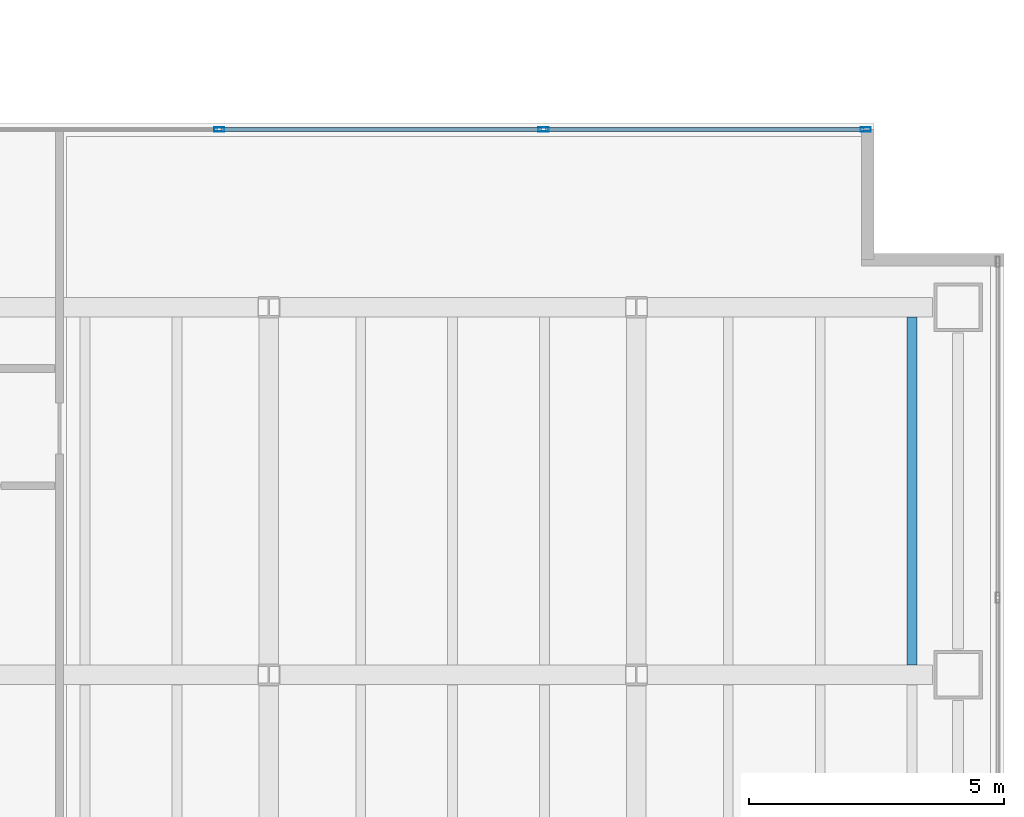
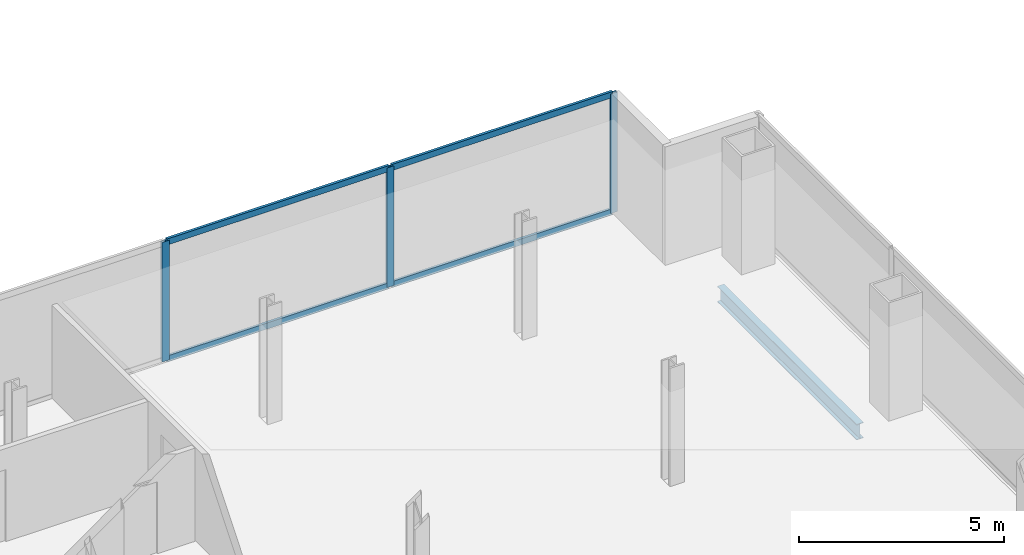
# One storey, part 12 of 24: 7 members, 1 beam, 1 element without a shape of its own.
"""IFC4 building model written with IfcOpenShell, lengths in metres."""

from ifc_helpers import new_model, si_unit, direction, frame, origin, origin_2d, place, context, subcontext, project, spatial, hollow_rectangle, i_section, extrude, material, material_profile, profile_set, type_object, element, aggregate, save


model = new_model("IFC4")

# Units and contexts
model_context = context("Model", 3, precision=1e-05, world=origin(), true_north=direction((0.0, 1.0)))
body_context = subcontext(model_context, "Body", "Model", "MODEL_VIEW")
ifc_project = project(units=[si_unit("LENGTHUNIT", "METRE"), si_unit("AREAUNIT", "SQUARE_METRE"), si_unit("VOLUMEUNIT", "CUBIC_METRE"), si_unit("PLANEANGLEUNIT", "RADIAN"), si_unit("MASSUNIT", "GRAM", prefix="KILO")], contexts=[model_context])

# Site, building, storey
site_placement = place(None, origin())
site = spatial("IfcSite", under=ifc_project, at=site_placement, CompositionType="ELEMENT")
building_placement = place(site_placement, origin())
building = spatial("IfcBuilding", under=site, at=building_placement, Name="Cobrela Telecom Tower", CompositionType="ELEMENT")
storey_placement = place(building_placement, frame((0.0, 0.0, 77.35009765625)))
storey = spatial("IfcBuildingStorey", under=building, at=storey_placement, Name="L19", CompositionType="ELEMENT", Elevation=77.35009765625)

# Beam
ifc_material_1 = material(Name="Steel ASTM A992 Grade 50", Category="steel")
ifc_material_profile_1 = material_profile(ifc_material_1, i_section(OverallWidth=0.193115234375, OverallDepth=0.467041015625, WebThickness=0.011474609375, FlangeThickness=0.01904296875, FilletRadius=0.012939453125, at=origin_2d()), Name="W18X65")
ifc_profile_set_1 = profile_set([ifc_material_profile_1], Name="Steel ASTM A992 Grade 50")
beam_type = type_object("IfcBeamType", Name="BM-JOIST-03", PredefinedType="JOIST", material=ifc_profile_set_1)
beam_placement = place(storey_placement, frame((48.60009765625, 14.595458984375, -0.513671875), z_axis=(0.0, 1.0, 0.0), x_axis=(-1.0, 0.0, 0.0)))
element("IfcBeam", 1, at=beam_placement, inside=storey, type_object=beam_type, Name="L19 Secondary Composite Floor Beam J64", PredefinedType="JOIST", context=body_context, shape_type="SweptSolid", body=[
    extrude(i_section(OverallWidth=0.193115234375, OverallDepth=0.467041015625, WebThickness=0.011474609375, FlangeThickness=0.01904296875, FilletRadius=0.012939453125, at=origin_2d()), origin(), (0.0, 0.0, 1.0), 6.80908203125),
])

# Curtain wall, members
ifc_material_2 = material(Name="Anodized Bronze Aluminium 6063-T6", Category="aluminium")
curtain_wall_type = type_object("IfcCurtainWallType", Name="CW-SYS-DATA", PredefinedType="USERDEFINED", material=ifc_material_2)
curtain_wall_placement = place(storey_placement, origin())
curtain_wall = element("IfcCurtainWall", 2, at=curtain_wall_placement, inside=storey, type_object=curtain_wall_type, Name="L19 Unitised Bronze Curtain Wall 11", ObjectType="UNITISED CURTAIN WALL", PredefinedType="USERDEFINED")
ifc_material_profile_2 = material_profile(ifc_material_2, hollow_rectangle(XDim=0.080078125, YDim=0.199951171875, WallThickness=0.00390625, at=origin_2d()), Name="ALU 80x200x4")
ifc_profile_set_2 = profile_set([ifc_material_profile_2], Name="Anodized Bronze Aluminium 6063-T6")
member_type_1 = type_object("IfcMemberType", Name="CW-SYS-DATA-MUL", PredefinedType="MULLION", material=ifc_profile_set_2)
member_1_placement = place(storey_placement, frame((35.030029296875, 25.080078125, 0.0), z_axis=(0.0, 0.0, 1.0), x_axis=(0.0, 1.0, 0.0)))
member_1 = element("IfcMember", 3, at=member_1_placement, type_object=member_type_1, Name="CW-DATA mullion 2", PredefinedType="MULLION", context=body_context, shape_type="SweptSolid", body=[
    extrude(hollow_rectangle(XDim=0.080078125, YDim=0.199951171875, WallThickness=0.00390625, at=origin_2d()), origin(), (0.0, 0.0, 1.0), 3.56982421875),
])
member_2_placement = place(storey_placement, frame((41.3798828125, 25.080078125, 0.0), z_axis=(0.0, 0.0, 1.0), x_axis=(0.0, 1.0, 0.0)))
member_2 = element("IfcMember", 4, at=member_2_placement, type_object=member_type_1, Name="CW-DATA mullion 3", PredefinedType="MULLION", context=body_context, shape_type="SweptSolid", body=[
    extrude(hollow_rectangle(XDim=0.080078125, YDim=0.199951171875, WallThickness=0.00390625, at=origin_2d()), origin(), (0.0, 0.0, 1.0), 3.56982421875),
])
member_3_placement = place(storey_placement, frame((47.68994140625, 25.080078125, 0.0), z_axis=(0.0, 0.0, 1.0), x_axis=(0.0, 1.0, 0.0)))
member_3 = element("IfcMember", 5, at=member_3_placement, type_object=member_type_1, Name="CW-DATA mullion 4", PredefinedType="MULLION", context=body_context, shape_type="SweptSolid", body=[
    extrude(hollow_rectangle(XDim=0.080078125, YDim=0.199951171875, WallThickness=0.00390625, at=origin_2d()), origin(), (0.0, 0.0, 1.0), 3.56982421875),
])
ifc_material_profile_3 = material_profile(ifc_material_2, hollow_rectangle(XDim=0.074951171875, YDim=0.179931640625, WallThickness=0.00390625, at=origin_2d()), Name="ALU 75x180x4")
ifc_profile_set_3 = profile_set([ifc_material_profile_3], Name="Anodized Bronze Aluminium 6063-T6")
member_type_2 = type_object("IfcMemberType", Name="CW-SYS-DATA-TRN", PredefinedType="USERDEFINED", material=ifc_profile_set_3)
member_4_placement = place(storey_placement, frame((35.070068359375, 25.080078125, 0.037353515625), z_axis=(1.0, 0.0, 0.0), x_axis=(0.0, 1.0, 0.0)))
member_4 = element("IfcMember", 6, at=member_4_placement, type_object=member_type_2, Name="CW-DATA transom 2.1", ObjectType="TRANSOM", PredefinedType="USERDEFINED", context=body_context, shape_type="SweptSolid", body=[
    extrude(hollow_rectangle(XDim=0.074951171875, YDim=0.179931640625, WallThickness=0.00390625, at=origin_2d()), origin(), (0.0, 0.0, 1.0), 6.27001953125),
])
member_5_placement = place(storey_placement, frame((35.070068359375, 25.080078125, 3.532470703125), z_axis=(1.0, 0.0, 0.0), x_axis=(0.0, 1.0, 0.0)))
member_5 = element("IfcMember", 7, at=member_5_placement, type_object=member_type_2, Name="CW-DATA transom 2.2", ObjectType="TRANSOM", PredefinedType="USERDEFINED", context=body_context, shape_type="SweptSolid", body=[
    extrude(hollow_rectangle(XDim=0.074951171875, YDim=0.179931640625, WallThickness=0.00390625, at=origin_2d()), origin(), (0.0, 0.0, 1.0), 6.27001953125),
])
member_6_placement = place(storey_placement, frame((41.419921875, 25.080078125, 0.037353515625), z_axis=(1.0, 0.0, 0.0), x_axis=(0.0, 1.0, 0.0)))
member_6 = element("IfcMember", 8, at=member_6_placement, type_object=member_type_2, Name="CW-DATA transom 3.1", ObjectType="TRANSOM", PredefinedType="USERDEFINED", context=body_context, shape_type="SweptSolid", body=[
    extrude(hollow_rectangle(XDim=0.074951171875, YDim=0.179931640625, WallThickness=0.00390625, at=origin_2d()), origin(), (0.0, 0.0, 1.0), 6.22998046875),
])
member_7_placement = place(storey_placement, frame((41.419921875, 25.080078125, 3.532470703125), z_axis=(1.0, 0.0, 0.0), x_axis=(0.0, 1.0, 0.0)))
member_7 = element("IfcMember", 9, at=member_7_placement, type_object=member_type_2, Name="CW-DATA transom 3.2", ObjectType="TRANSOM", PredefinedType="USERDEFINED", context=body_context, shape_type="SweptSolid", body=[
    extrude(hollow_rectangle(XDim=0.074951171875, YDim=0.179931640625, WallThickness=0.00390625, at=origin_2d()), origin(), (0.0, 0.0, 1.0), 6.22998046875),
])
aggregate(curtain_wall, [member_1, member_2, member_3, member_4, member_5, member_6, member_7])

save(model, "model.ifc")
